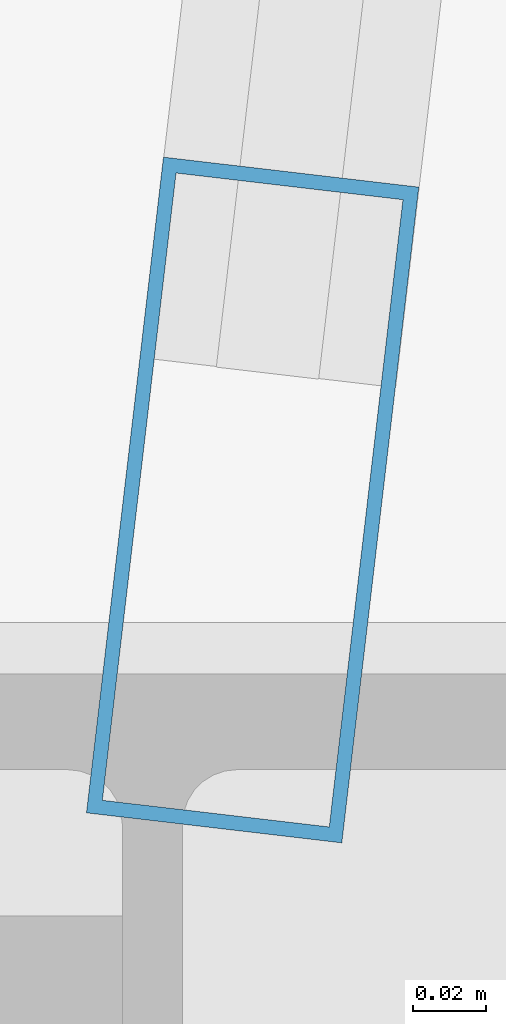
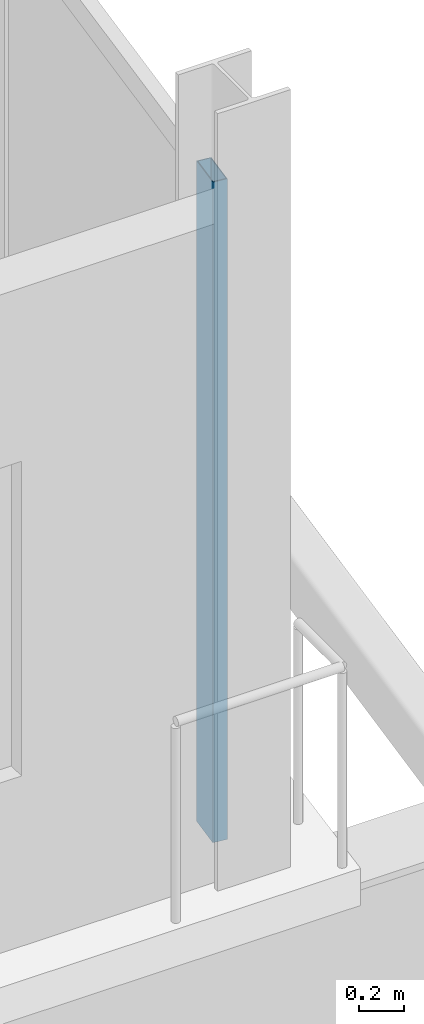
# One storey, part 2 of 23: 1 member, 1 element without a shape of its own.
"""IFC4 building model written with IfcOpenShell, lengths in metres."""

from ifc_helpers import new_model, si_unit, direction, frame, origin, origin_2d, place, context, subcontext, project, spatial, hollow_rectangle, extrude, material, layer, layer_set, material_profile, profile_set, type_object, element, aggregate, save


model = new_model("IFC4")

# Units and contexts
model_context = context("Model", 3, precision=1e-05, world=origin(), true_north=direction((0.0, 1.0)))
body_context = subcontext(model_context, "Body", "Model", "MODEL_VIEW")
ifc_project = project(units=[si_unit("LENGTHUNIT", "METRE"), si_unit("AREAUNIT", "SQUARE_METRE"), si_unit("VOLUMEUNIT", "CUBIC_METRE"), si_unit("PLANEANGLEUNIT", "RADIAN"), si_unit("MASSUNIT", "GRAM", prefix="KILO")], contexts=[model_context])

# Site, building, storey
site_placement = place(None, origin())
site = spatial("IfcSite", under=ifc_project, at=site_placement, CompositionType="ELEMENT")
building_placement = place(site_placement, origin())
building = spatial("IfcBuilding", under=site, at=building_placement, Name="Quillay Park Conservatory", CompositionType="ELEMENT")
storey_placement = place(building_placement, frame((0.0, 0.0, 22.5)))
storey = spatial("IfcBuildingStorey", under=building, at=storey_placement, Name="L05", CompositionType="ELEMENT", Elevation=22.5)

# Curtain wall, member
ifc_material_1 = material(Name="Thermally Broken Anodised Aluminium 6063-T6", Category="aluminium")
ifc_layer = layer(ifc_material_1, 0.179931640625)
ifc_layer_set = layer_set([ifc_layer], Name="UNITISED CURTAIN WALL TOWER (Thermally Broken Anodised Aluminium 6063-T6)")
curtain_wall_type = type_object("IfcCurtainWallType", Name="UNITISED CURTAIN WALL TOWER", PredefinedType="USERDEFINED", material=ifc_layer_set)
curtain_wall_placement = place(storey_placement, origin())
curtain_wall = element("IfcCurtainWall", 1, at=curtain_wall_placement, inside=storey, type_object=curtain_wall_type, Name="L05 Unitised Curtain Wall 048", ObjectType="UNITISED CURTAIN WALL", PredefinedType="USERDEFINED")
ifc_material_2 = material(Name="Thermally Broken Anodised Aluminium 6063-T6", Category="aluminium")
ifc_material_profile = material_profile(ifc_material_2, hollow_rectangle(XDim=0.070068359375, YDim=0.179931640625, WallThickness=0.00390625, at=origin_2d()), Name="AL70x180x4")
ifc_profile_set = profile_set([ifc_material_profile], Name="Thermally Broken Anodised Aluminium 6063-T6")
member_type = type_object("IfcMemberType", Name="CURTAIN WALL MULLION 70 X180", PredefinedType="MULLION", material=ifc_profile_set)
member_placement = place(storey_placement, frame((26.577392578125, 63.283447265625, 0.0), z_axis=(0.0, 0.0, 1.0), x_axis=(0.993172502804, -0.116654959918, 0.0)))
member = element("IfcMember", 2, at=member_placement, type_object=member_type, Name="CW-T1 mullion 4", PredefinedType="MULLION", context=body_context, shape_type="SweptSolid", body=[
    extrude(hollow_rectangle(XDim=0.070068359375, YDim=0.179931640625, WallThickness=0.00390625, at=origin_2d()), origin(), (0.0, 0.0, 1.0), 3.569091796875),
])
aggregate(curtain_wall, [member])

save(model, "model.ifc")
